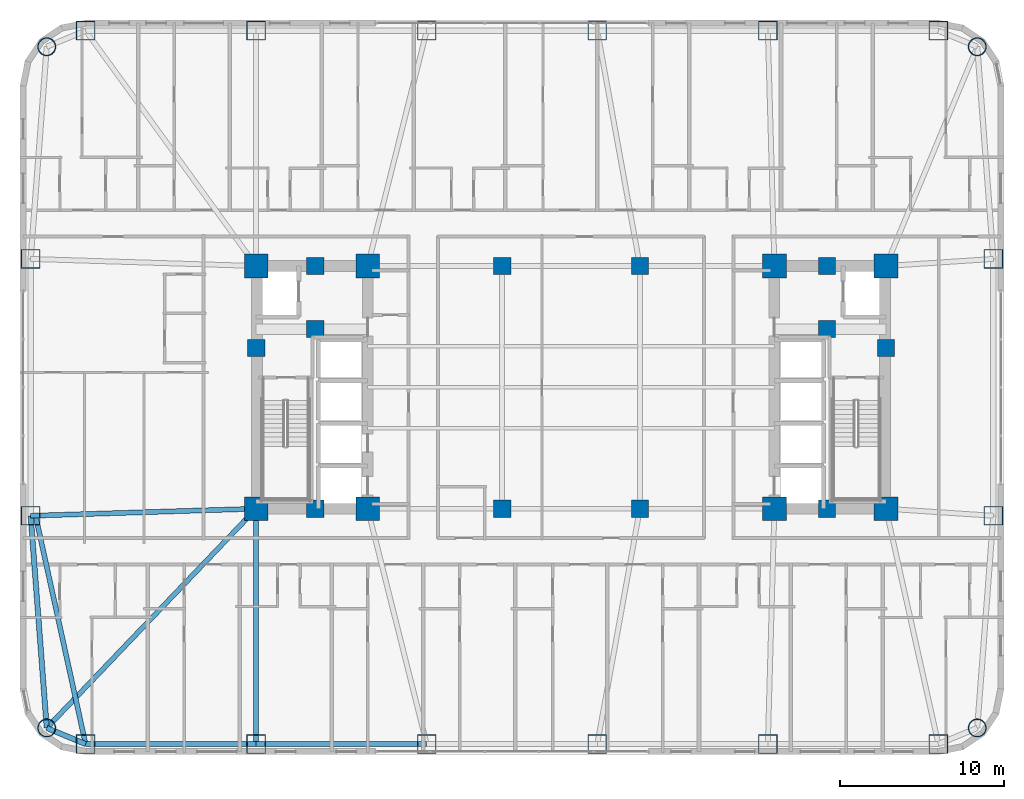
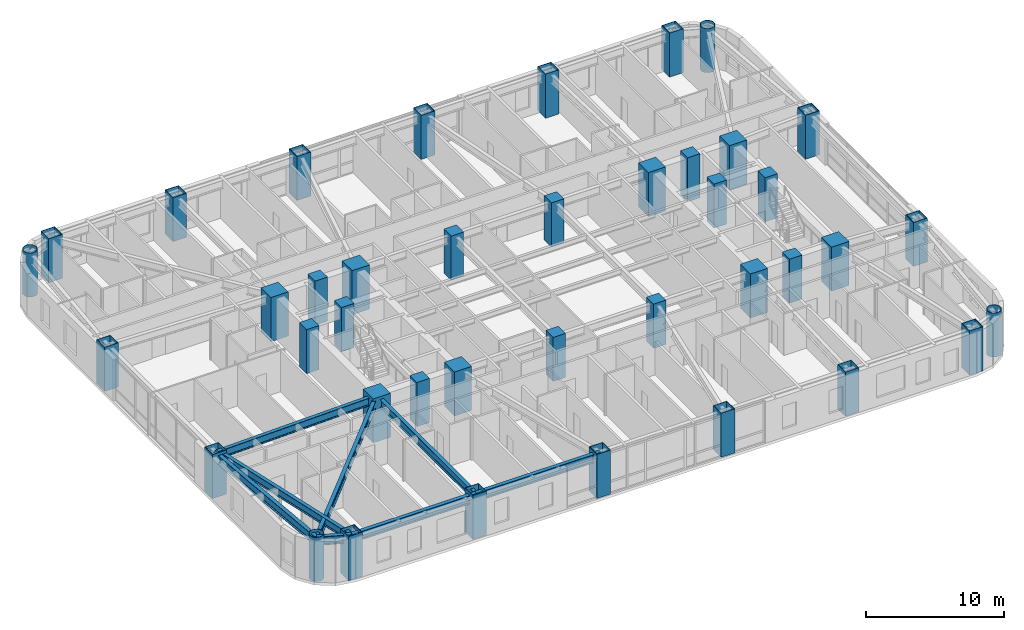
# One storey, part 1 of 28: 40 columns, 8 beams.
"""IFC4 building model written with IfcOpenShell, lengths in metres."""

from ifc_helpers import new_model, si_unit, direction, frame, origin, origin_2d, place, context, subcontext, project, spatial, rectangle, hollow_rectangle, hollow_circle, i_section, extrude, material, material_profile, profile_set, type_object, element, save


model = new_model("IFC4")

# Units and contexts
model_context = context("Model", 3, precision=1e-05, world=origin(), true_north=direction((0.0, 1.0)))
body_context = subcontext(model_context, "Body", "Model", "MODEL_VIEW")
ifc_project = project(units=[si_unit("LENGTHUNIT", "METRE"), si_unit("AREAUNIT", "SQUARE_METRE"), si_unit("VOLUMEUNIT", "CUBIC_METRE"), si_unit("PLANEANGLEUNIT", "RADIAN"), si_unit("MASSUNIT", "GRAM", prefix="KILO")], contexts=[model_context])

# Site, building, storey
site_placement = place(None, origin())
site = spatial("IfcSite", under=ifc_project, at=site_placement, CompositionType="ELEMENT")
building_placement = place(site_placement, origin())
building = spatial("IfcBuilding", under=site, at=building_placement, Name="Voryun Gate Residences", CompositionType="ELEMENT")
storey_placement = place(building_placement, frame((0.0, 0.0, 61.10009765625)))
storey = spatial("IfcBuildingStorey", under=building, at=storey_placement, Name="L14", CompositionType="ELEMENT", Elevation=61.10009765625)

# Columns
ifc_material_1 = material(Name="Concrete C50/60", Category="concrete")
ifc_material_profile_1 = material_profile(ifc_material_1, rectangle(XDim=1.050048828125, YDim=1.050048828125, at=origin_2d()), Name="RC-1050x1050")
ifc_profile_set_1 = profile_set([ifc_material_profile_1], Name="Concrete C50/60")
column_type_1 = type_object("IfcColumnType", Name="COL_CORE_1050", PredefinedType="COLUMN", material=ifc_profile_set_1)
for number, where, z_axis, x_axis, name in (
    (1, (-19.199951171875, 2.39990234375, 0.0), (0.0, 0.0, 1.0), (1.0, 0.0, 0.0), "L14 Core boundary column WC-MW"),
    (2, (-15.60009765625, -7.39990234375, 0.0), (0.0, 0.0, 1.0), (1.0, 0.0, 0.0), "L14 Core boundary column WC-SM"),
    (3, (-15.60009765625, 7.39990234375, 0.0), (0.0, 0.0, 1.0), (1.0, 0.0, 0.0), "L14 Core boundary column WC-NM"),
    (4, (-15.60009765625, 3.550048828125, 0.0), (0.0, 0.0, 1.0), (1.0, 0.0, 0.0), "L14 Core boundary column WC-MM"),
    (5, (15.60009765625, 3.550048828125, 0.0), (0.0, 0.0, 1.0), (1.0, 0.0, 0.0), "L14 Core boundary column EC-MM"),
    (6, (15.60009765625, -7.39990234375, 0.0), (0.0, 0.0, 1.0), (1.0, 0.0, 0.0), "L14 Core boundary column EC-SM"),
    (7, (15.60009765625, 7.39990234375, 0.0), (0.0, 0.0, 1.0), (1.0, 0.0, 0.0), "L14 Core boundary column EC-NM"),
    (8, (19.199951171875, 2.39990234375, 0.0), (0.0, 0.0, 1.0), (1.0, 0.0, 0.0), "L14 Core boundary column EC-ME"),
    (9, (-4.199951171875, -7.39990234375, 0.0), (0.0, 0.0, 1.0), (1.0, 0.0, 0.0), "L14 Interior spine column SP-WS"),
    (10, (-4.199951171875, 7.39990234375, 0.0), (0.0, 0.0, 1.0), (1.0, 0.0, 0.0), "L14 Interior spine column SP-WN"),
    (11, (4.199951171875, -7.39990234375, 0.0), (0.0, 0.0, 1.0), (1.0, 0.0, 0.0), "L14 Interior spine column SP-ES"),
    (12, (4.199951171875, 7.39990234375, 0.0), (0.0, 0.0, 1.0), (1.0, 0.0, 0.0), "L14 Interior spine column SP-EN"),
):
    element("IfcColumn", number, at=place(storey_placement, frame(where, z_axis=z_axis, x_axis=x_axis)), inside=storey, type_object=column_type_1, Name=name, PredefinedType="COLUMN", context=body_context, shape_type="SweptSolid", body=[
        extrude(rectangle(XDim=1.050048828125, YDim=1.050048828125, at=origin_2d()), origin(), (0.0, 0.0, 1.0), 3.89990234375),
    ])
ifc_material_2 = material(Name="Steel SM420", Category="steel")
ifc_material_profile_2 = material_profile(ifc_material_2, hollow_circle(Radius=0.550048828125, WallThickness=0.035888671875, at=origin_2d()), Name="CHS-1100x36")
ifc_profile_set_2 = profile_set([ifc_material_profile_2], Name="Steel SM420")
column_type_2 = type_object("IfcColumnType", Name="COL_CRN_1100", PredefinedType="COLUMN", material=ifc_profile_set_2)
for number, where, z_axis, x_axis, name in (
    (13, (24.768798828125, -20.768798828125, 0.0), (0.0, 0.0, 1.0), (1.0, 0.0, 0.0), "L14 Exoskeleton column CSE"),
    (14, (24.768798828125, 20.768798828125, 0.0), (0.0, 0.0, 1.0), (1.0, 0.0, 0.0), "L14 Exoskeleton column CNE"),
    (15, (-31.96875, 20.768798828125, 0.0), (0.0, 0.0, 1.0), (1.0, 0.0, 0.0), "L14 Exoskeleton column CNW"),
    (16, (-31.96875, -20.768798828125, 0.0), (0.0, 0.0, 1.0), (1.0, 0.0, 0.0), "L14 Exoskeleton column CSW"),
):
    element("IfcColumn", number, at=place(storey_placement, frame(where, z_axis=z_axis, x_axis=x_axis)), inside=storey, type_object=column_type_2, Name=name, PredefinedType="COLUMN", context=body_context, shape_type="SweptSolid", body=[
        extrude(hollow_circle(Radius=0.550048828125, WallThickness=0.035888671875, at=origin_2d()), origin(), (0.0, 0.0, 1.0), 3.89990234375),
    ])
ifc_material_3 = material(Name="Steel SM420", Category="steel")
ifc_material_profile_3 = material_profile(ifc_material_3, hollow_rectangle(XDim=1.14990234375, YDim=1.14990234375, WallThickness=0.0400390625, at=origin_2d()), Name="BOX-1150x1150x40")
ifc_profile_set_3 = profile_set([ifc_material_profile_3], Name="Steel SM420")
column_type_3 = type_object("IfcColumnType", Name="COL_EXO_B1", PredefinedType="COLUMN", material=ifc_profile_set_3)
for number, where, z_axis, x_axis, name in (
    (17, (-29.60009765625, -21.75, 0.0), (0.0, 0.0, 1.0), (1.0, 0.0, 0.0), "L14 Exoskeleton column S1"),
    (18, (-19.199951171875, -21.75, 0.0), (0.0, 0.0, 1.0), (1.0, 0.0, 0.0), "L14 Exoskeleton column S2"),
    (19, (-8.800048828125, -21.75, 0.0), (0.0, 0.0, 1.0), (1.0, 0.0, 0.0), "L14 Exoskeleton column S3"),
    (20, (1.60009765625, -21.75, 0.0), (0.0, 0.0, 1.0), (1.0, 0.0, 0.0), "L14 Exoskeleton column S4"),
    (21, (12.0, -21.75, 0.0), (0.0, 0.0, 1.0), (1.0, 0.0, 0.0), "L14 Exoskeleton column S5"),
    (22, (22.39990234375, -21.75, 0.0), (0.0, 0.0, 1.0), (1.0, 0.0, 0.0), "L14 Exoskeleton column S6"),
    (23, (25.75, -7.830078125, 0.0), (0.0, 0.0, 1.0), (1.0, 0.0, 0.0), "L14 Exoskeleton column E1"),
    (24, (25.75, 7.830078125, 0.0), (0.0, 0.0, 1.0), (1.0, 0.0, 0.0), "L14 Exoskeleton column E2"),
    (25, (22.39990234375, 21.75, 0.0), (0.0, 0.0, 1.0), (1.0, 0.0, 0.0), "L14 Exoskeleton column N1"),
    (26, (12.0, 21.75, 0.0), (0.0, 0.0, 1.0), (1.0, 0.0, 0.0), "L14 Exoskeleton column N2"),
    (27, (1.60009765625, 21.75, 0.0), (0.0, 0.0, 1.0), (1.0, 0.0, 0.0), "L14 Exoskeleton column N3"),
    (28, (-8.800048828125, 21.75, 0.0), (0.0, 0.0, 1.0), (1.0, 0.0, 0.0), "L14 Exoskeleton column N4"),
    (29, (-19.199951171875, 21.75, 0.0), (0.0, 0.0, 1.0), (1.0, 0.0, 0.0), "L14 Exoskeleton column N5"),
    (30, (-29.60009765625, 21.75, 0.0), (0.0, 0.0, 1.0), (1.0, 0.0, 0.0), "L14 Exoskeleton column N6"),
    (31, (-32.949951171875, 7.830078125, 0.0), (0.0, 0.0, 1.0), (1.0, 0.0, 0.0), "L14 Exoskeleton column W1"),
    (32, (-32.949951171875, -7.830078125, 0.0), (0.0, 0.0, 1.0), (1.0, 0.0, 0.0), "L14 Exoskeleton column W2"),
):
    element("IfcColumn", number, at=place(storey_placement, frame(where, z_axis=z_axis, x_axis=x_axis)), inside=storey, type_object=column_type_3, Name=name, PredefinedType="COLUMN", context=body_context, shape_type="SweptSolid", body=[
        extrude(hollow_rectangle(XDim=1.14990234375, YDim=1.14990234375, WallThickness=0.0400390625, at=origin_2d()), origin(), (0.0, 0.0, 1.0), 3.89990234375),
    ])
ifc_material_4 = material(Name="Concrete C60/75", Category="concrete")
ifc_material_profile_4 = material_profile(ifc_material_4, rectangle(XDim=1.449951171875, YDim=1.449951171875, at=origin_2d()), Name="RC-1450x1450")
ifc_profile_set_4 = profile_set([ifc_material_profile_4], Name="Concrete C60/75")
column_type_4 = type_object("IfcColumnType", Name="COL_MEGA_1450", PredefinedType="COLUMN", material=ifc_profile_set_4)
for number, where, z_axis, x_axis, name in (
    (33, (-19.199951171875, -7.39990234375, 0.0), (0.0, 0.0, 1.0), (1.0, 0.0, 0.0), "L14 Core boundary column WC-SW"),
    (34, (-19.199951171875, 7.39990234375, 0.0), (0.0, 0.0, 1.0), (1.0, 0.0, 0.0), "L14 Core boundary column WC-NW"),
    (35, (-12.39990234375, -7.39990234375, 0.0), (0.0, 0.0, 1.0), (1.0, 0.0, 0.0), "L14 Core boundary column WC-SE"),
    (36, (-12.39990234375, 7.39990234375, 0.0), (0.0, 0.0, 1.0), (1.0, 0.0, 0.0), "L14 Core boundary column WC-NE"),
    (37, (12.39990234375, -7.39990234375, 0.0), (0.0, 0.0, 1.0), (1.0, 0.0, 0.0), "L14 Core boundary column EC-SW"),
    (38, (12.39990234375, 7.39990234375, 0.0), (0.0, 0.0, 1.0), (1.0, 0.0, 0.0), "L14 Core boundary column EC-NW"),
    (39, (19.199951171875, -7.39990234375, 0.0), (0.0, 0.0, 1.0), (1.0, 0.0, 0.0), "L14 Core boundary column EC-SE"),
    (40, (19.199951171875, 7.39990234375, 0.0), (0.0, 0.0, 1.0), (1.0, 0.0, 0.0), "L14 Core boundary column EC-NE"),
):
    element("IfcColumn", number, at=place(storey_placement, frame(where, z_axis=z_axis, x_axis=x_axis)), inside=storey, type_object=column_type_4, Name=name, PredefinedType="COLUMN", context=body_context, shape_type="SweptSolid", body=[
        extrude(rectangle(XDim=1.449951171875, YDim=1.449951171875, at=origin_2d()), origin(), (0.0, 0.0, 1.0), 3.89990234375),
    ])

# Beams
ifc_material_5 = material(Name="Steel SM355", Category="steel")
ifc_material_profile_5 = material_profile(ifc_material_5, i_section(OverallWidth=0.320068359375, OverallDepth=0.75, WebThickness=0.01611328125, FlangeThickness=0.028076171875, FilletRadius=0.01806640625, at=origin_2d()), Name="H-750x320x16x28")
ifc_profile_set_5 = profile_set([ifc_material_profile_5], Name="Steel SM355")
beam_type_1 = type_object("IfcBeamType", Name="BM_EXO_SPANDREL_L", PredefinedType="SPANDREL", material=ifc_profile_set_5)
beam_1_placement = place(storey_placement, frame((-29.60009765625, -21.75, 3.27490234375), z_axis=(1.0, 0.0, 0.0), x_axis=(0.0, 1.0, 0.0)))
element("IfcBeam", 41, at=beam_1_placement, inside=storey, type_object=beam_type_1, Name="BM-L14-SPAND-01", PredefinedType="SPANDREL", context=body_context, shape_type="SweptSolid", body=[
    extrude(i_section(OverallWidth=0.320068359375, OverallDepth=0.75, WebThickness=0.01611328125, FlangeThickness=0.028076171875, FilletRadius=0.01806640625, at=origin_2d()), origin(), (0.0, 0.0, 1.0), 10.400146484375),
])
beam_2_placement = place(storey_placement, frame((-19.199951171875, -21.75, 3.27490234375), z_axis=(1.0, 0.0, 0.0), x_axis=(0.0, 1.0, 0.0)))
element("IfcBeam", 42, at=beam_2_placement, inside=storey, type_object=beam_type_1, Name="BM-L14-SPAND-02", PredefinedType="SPANDREL", context=body_context, shape_type="SweptSolid", body=[
    extrude(i_section(OverallWidth=0.320068359375, OverallDepth=0.75, WebThickness=0.01611328125, FlangeThickness=0.028076171875, FilletRadius=0.01806640625, at=origin_2d()), origin(), (0.0, 0.0, 1.0), 10.39990234375),
])
beam_3_placement = place(storey_placement, frame((-32.949951171875, -7.830078125, 3.27490234375), z_axis=(0.075617360159, -0.997136908776, 0.0), x_axis=(0.997136908776, 0.075617360159, 0.0)))
element("IfcBeam", 43, at=beam_3_placement, inside=storey, type_object=beam_type_1, Name="BM-L14-SPAND-19", PredefinedType="SPANDREL", context=body_context, shape_type="SweptSolid", body=[
    extrude(i_section(OverallWidth=0.320068359375, OverallDepth=0.75, WebThickness=0.01611328125, FlangeThickness=0.028076171875, FilletRadius=0.01806640625, at=origin_2d()), origin(), (0.0, 0.0, 1.0), 12.975830078125),
])
beam_4_placement = place(storey_placement, frame((-31.96875, -20.768798828125, 3.27490234375), z_axis=(0.92386943149, -0.382707817477, 0.0), x_axis=(0.382707817477, 0.92386943149, 0.0)))
element("IfcBeam", 44, at=beam_4_placement, inside=storey, type_object=beam_type_1, Name="BM-L14-SPAND-20", PredefinedType="SPANDREL", context=body_context, shape_type="SweptSolid", body=[
    extrude(i_section(OverallWidth=0.320068359375, OverallDepth=0.75, WebThickness=0.01611328125, FlangeThickness=0.028076171875, FilletRadius=0.01806640625, at=origin_2d()), origin(), (0.0, 0.0, 1.0), 2.563720703125),
])
ifc_material_6 = material(Name="Steel SM355", Category="steel")
ifc_material_profile_6 = material_profile(ifc_material_6, i_section(OverallWidth=0.300048828125, OverallDepth=0.699951171875, WebThickness=0.012939453125, FlangeThickness=0.02392578125, FilletRadius=0.01806640625, at=origin_2d()), Name="H-700x300x13x24")
ifc_profile_set_6 = profile_set([ifc_material_profile_6], Name="Steel SM355")
beam_type_2 = type_object("IfcBeamType", Name="BM_GIRD_700", PredefinedType="USERDEFINED", material=ifc_profile_set_6)
beam_5_placement = place(storey_placement, frame((-32.64990234375, -7.830078125, 3.2998046875), z_axis=(0.214019782918, -0.976829326198, 0.0), x_axis=(0.976829326198, 0.214019782918, 0.0)))
element("IfcBeam", 45, at=beam_5_placement, inside=storey, type_object=beam_type_2, Name="BM-L14-RAD-S1", ObjectType="GIRDER", PredefinedType="USERDEFINED", context=body_context, shape_type="SweptSolid", body=[
    extrude(i_section(OverallWidth=0.300048828125, OverallDepth=0.699951171875, WebThickness=0.012939453125, FlangeThickness=0.02392578125, FilletRadius=0.01806640625, at=origin_2d()), origin(), (0.0, 0.0, 1.0), 14.25),
])
beam_6_placement = place(storey_placement, frame((-19.199951171875, -7.39990234375, 3.2998046875), z_axis=(0.0, -1.0, 0.0), x_axis=(1.0, 0.0, 0.0)))
element("IfcBeam", 46, at=beam_6_placement, inside=storey, type_object=beam_type_2, Name="BM-L14-RAD-S2", ObjectType="GIRDER", PredefinedType="USERDEFINED", context=body_context, shape_type="SweptSolid", body=[
    extrude(i_section(OverallWidth=0.300048828125, OverallDepth=0.699951171875, WebThickness=0.012939453125, FlangeThickness=0.02392578125, FilletRadius=0.01806640625, at=origin_2d()), origin(), (0.0, 0.0, 1.0), 14.35009765625),
])
beam_7_placement = place(storey_placement, frame((-19.199951171875, -7.39990234375, 3.2998046875), z_axis=(-0.999510967353, -0.031270211727, 0.0), x_axis=(0.031270211727, -0.999510967353, 0.0)))
element("IfcBeam", 47, at=beam_7_placement, inside=storey, type_object=beam_type_2, Name="BM-L14-RAD-W2", ObjectType="GIRDER", PredefinedType="USERDEFINED", context=body_context, shape_type="SweptSolid", body=[
    extrude(i_section(OverallWidth=0.300048828125, OverallDepth=0.699951171875, WebThickness=0.012939453125, FlangeThickness=0.02392578125, FilletRadius=0.01806640625, at=origin_2d()), origin(), (0.0, 0.0, 1.0), 13.7568359375),
])
beam_8_placement = place(storey_placement, frame((-19.199951171875, -7.39990234375, 3.2998046875), z_axis=(-0.69069023987, -0.723150739852, 0.0), x_axis=(0.723150739852, -0.69069023987, 0.0)))
element("IfcBeam", 48, at=beam_8_placement, inside=storey, type_object=beam_type_2, Name="BM-L14-RAD-CSW", ObjectType="GIRDER", PredefinedType="USERDEFINED", context=body_context, shape_type="SweptSolid", body=[
    extrude(i_section(OverallWidth=0.300048828125, OverallDepth=0.699951171875, WebThickness=0.012939453125, FlangeThickness=0.02392578125, FilletRadius=0.01806640625, at=origin_2d()), origin(), (0.0, 0.0, 1.0), 18.487060546875),
])

save(model, "model.ifc")
